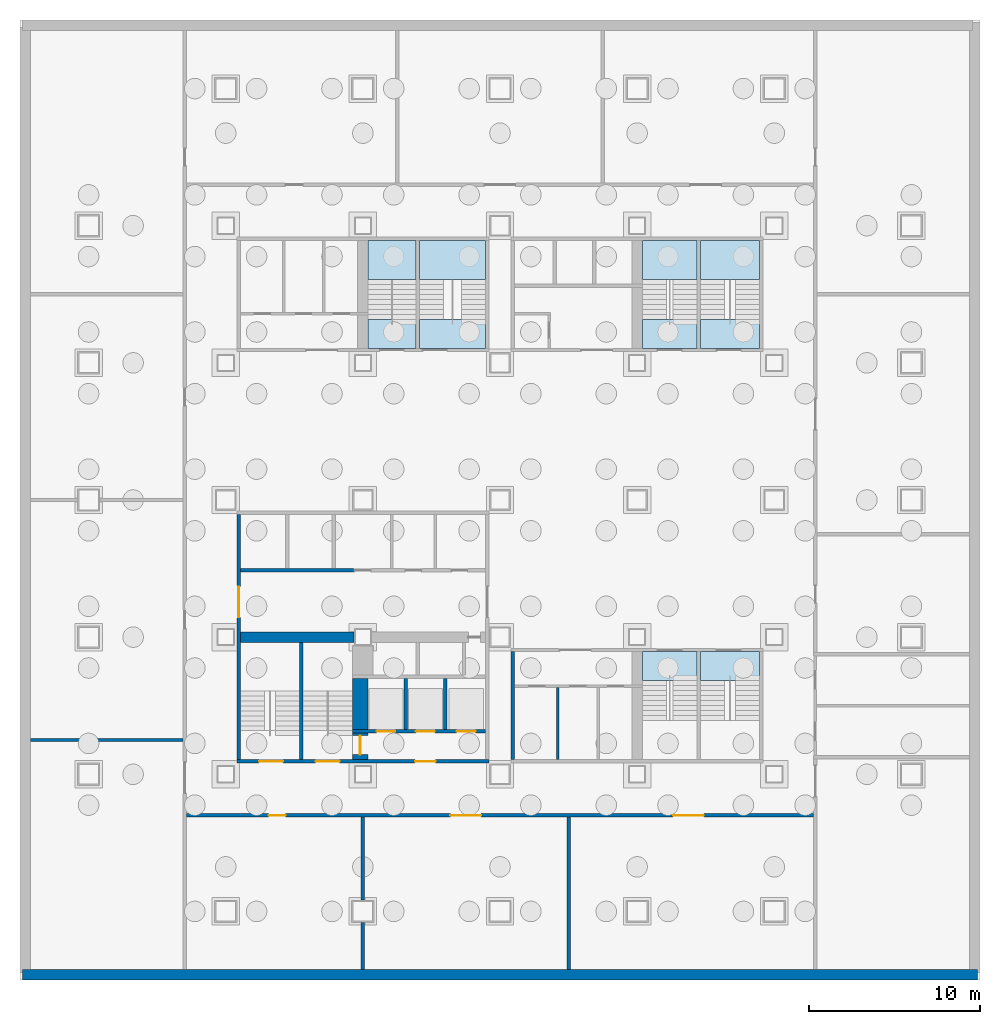
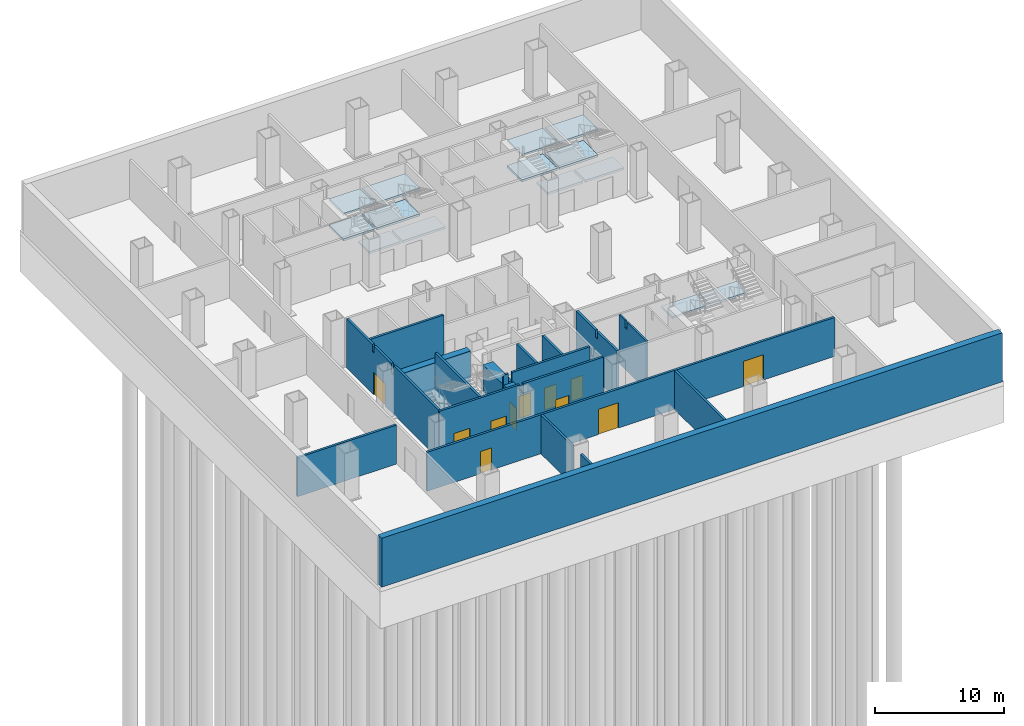
# One storey, part 2 of 9: 18 walls, 14 slabs, 11 doors, 11 openings, 6 elements without a shape of their own.
"""IFC4 building model written with IfcOpenShell, lengths in metres."""

from ifc_helpers import new_model, si_unit, direction, frame, frame_2d, origin, place, context, subcontext, project, spatial, polyline, rectangle, outline, extrude, material, layer, layer_set, type_object, element, fill, aggregate, save


model = new_model("IFC4")

# Units and contexts
model_context = context("Model", 3, precision=1e-05, world=origin(), true_north=direction((0.0, 1.0)))
body_context = subcontext(model_context, "Body", "Model", "MODEL_VIEW")
ifc_project = project(units=[si_unit("LENGTHUNIT", "METRE"), si_unit("AREAUNIT", "SQUARE_METRE"), si_unit("VOLUMEUNIT", "CUBIC_METRE"), si_unit("PLANEANGLEUNIT", "RADIAN"), si_unit("MASSUNIT", "GRAM", prefix="KILO")], contexts=[model_context])

# Site, building, storey
site_placement = place(None, origin())
site = spatial("IfcSite", under=ifc_project, at=site_placement, CompositionType="ELEMENT")
building_placement = place(site_placement, origin())
building = spatial("IfcBuilding", under=site, at=building_placement, Name="Immortelle Media Tower", CompositionType="ELEMENT")
storey_placement = place(building_placement, frame((0.0, 0.0, -5.0)))
storey = spatial("IfcBuildingStorey", under=building, at=storey_placement, Name="B1", CompositionType="ELEMENT", Elevation=-5.0)

# Stair, slab
ifc_material_1 = material(Name="Steel ASTM A992 Gr 50", Category="steel")
stair_type = type_object("IfcStairType", Name="Stair with flights", PredefinedType="DOUBLE_RETURN_STAIR", material=ifc_material_1)
stair_1_placement = place(storey_placement, origin())
stair_1 = element("IfcStair", 1, at=stair_1_placement, inside=storey, type_object=stair_type, Name="Exit stair SE1", PredefinedType="DOUBLE_RETURN_STAIR")
ifc_material_2 = material(Name="Steel ASTM A572 Gr 50", Category="steel")
ifc_layer_1 = layer(ifc_material_2, 0.199951171875)
ifc_layer_set_1 = layer_set([ifc_layer_1], Name="Steel ASTM A572 Gr 50")
slab_type = type_object("IfcSlabType", Name="Stair landing 200", PredefinedType="LANDING", material=ifc_layer_set_1)
slab_1_placement = place(storey_placement, frame((0.0, 0.0, 2.232421875)))
slab_1 = element("IfcSlab", 2, at=slab_1_placement, type_object=slab_type, Name="ST SE1 landing 2", PredefinedType="LANDING", context=body_context, shape_type="SweptSolid", body=[
    extrude(outline(polyline([(32.300048828125, 13.4599609375), (35.5, 13.4599609375), (35.5, 15.14990234375), (32.300048828125, 15.14990234375), (32.300048828125, 13.4599609375)])), origin(), (0.0, 0.0, 1.0), 0.199951171875),
])
aggregate(stair_1, [slab_1])

stair_2_placement = place(storey_placement, origin())
stair_2 = element("IfcStair", 3, at=stair_2_placement, inside=storey, type_object=stair_type, Name="Exit stair SE2", PredefinedType="DOUBLE_RETURN_STAIR")
slab_2_placement = place(storey_placement, frame((0.0, 0.0, 2.232421875)))
slab_2 = element("IfcSlab", 4, at=slab_2_placement, type_object=slab_type, Name="ST SE2 landing 2", PredefinedType="LANDING", context=body_context, shape_type="SweptSolid", body=[
    extrude(outline(polyline([(35.699951171875, 13.4599609375), (39.14990234375, 13.4599609375), (39.14990234375, 15.14990234375), (35.699951171875, 15.14990234375), (35.699951171875, 13.4599609375)])), origin(), (0.0, 0.0, 1.0), 0.199951171875),
])
aggregate(stair_2, [slab_2])

# Stair, slabs
stair_3_placement = place(storey_placement, origin())
stair_3 = element("IfcStair", 5, at=stair_3_placement, inside=storey, type_object=stair_type, Name="Exit stair NW1", PredefinedType="DOUBLE_RETURN_STAIR")
slab_3_placement = place(storey_placement, frame((0.0, 0.0, 1.01611328125)))
slab_3 = element("IfcSlab", 6, at=slab_3_placement, type_object=slab_type, Name="ST NW1 landing 1", PredefinedType="LANDING", context=body_context, shape_type="SweptSolid", body=[
    extrude(outline(polyline([(16.300048828125, 36.860107421875), (19.10009765625, 36.860107421875), (19.10009765625, 39.14990234375), (16.300048828125, 39.14990234375), (16.300048828125, 36.860107421875)])), origin(), (0.0, 0.0, 1.0), 0.2001953125),
])
slab_4_placement = place(storey_placement, frame((0.0, 0.0, 2.232421875)))
slab_4 = element("IfcSlab", 7, at=slab_4_placement, type_object=slab_type, Name="ST NW1 landing 2", PredefinedType="LANDING", context=body_context, shape_type="SweptSolid", body=[
    extrude(outline(polyline([(16.300048828125, 32.85009765625), (19.10009765625, 32.85009765625), (19.10009765625, 34.5400390625), (16.300048828125, 34.5400390625), (16.300048828125, 32.85009765625)])), origin(), (0.0, 0.0, 1.0), 0.199951171875),
])
slab_5_placement = place(storey_placement, frame((0.0, 0.0, 3.44873046875)))
slab_5 = element("IfcSlab", 8, at=slab_5_placement, type_object=slab_type, Name="ST NW1 landing 3", PredefinedType="LANDING", context=body_context, shape_type="SweptSolid", body=[
    extrude(outline(polyline([(16.300048828125, 36.860107421875), (19.10009765625, 36.860107421875), (19.10009765625, 39.14990234375), (16.300048828125, 39.14990234375), (16.300048828125, 36.860107421875)])), origin(), (0.0, 0.0, 1.0), 0.199951171875),
])
aggregate(stair_3, [slab_3, slab_4, slab_5])

stair_4_placement = place(storey_placement, origin())
stair_4 = element("IfcStair", 9, at=stair_4_placement, inside=storey, type_object=stair_type, Name="Exit stair NW2", PredefinedType="DOUBLE_RETURN_STAIR")
slab_6_placement = place(storey_placement, frame((0.0, 0.0, 1.01611328125)))
slab_6 = element("IfcSlab", 10, at=slab_6_placement, type_object=slab_type, Name="ST NW2 landing 1", PredefinedType="LANDING", context=body_context, shape_type="SweptSolid", body=[
    extrude(outline(polyline([(19.300048828125, 36.860107421875), (23.14990234375, 36.860107421875), (23.14990234375, 39.14990234375), (19.300048828125, 39.14990234375), (19.300048828125, 36.860107421875)])), origin(), (0.0, 0.0, 1.0), 0.2001953125),
])
slab_7_placement = place(storey_placement, frame((0.0, 0.0, 2.232421875)))
slab_7 = element("IfcSlab", 11, at=slab_7_placement, type_object=slab_type, Name="ST NW2 landing 2", PredefinedType="LANDING", context=body_context, shape_type="SweptSolid", body=[
    extrude(outline(polyline([(19.300048828125, 32.85009765625), (23.14990234375, 32.85009765625), (23.14990234375, 34.5400390625), (19.300048828125, 34.5400390625), (19.300048828125, 32.85009765625)])), origin(), (0.0, 0.0, 1.0), 0.199951171875),
])
slab_8_placement = place(storey_placement, frame((0.0, 0.0, 3.44873046875)))
slab_8 = element("IfcSlab", 12, at=slab_8_placement, type_object=slab_type, Name="ST NW2 landing 3", PredefinedType="LANDING", context=body_context, shape_type="SweptSolid", body=[
    extrude(outline(polyline([(19.300048828125, 36.860107421875), (23.14990234375, 36.860107421875), (23.14990234375, 39.14990234375), (19.300048828125, 39.14990234375), (19.300048828125, 36.860107421875)])), origin(), (0.0, 0.0, 1.0), 0.199951171875),
])
aggregate(stair_4, [slab_6, slab_7, slab_8])

stair_5_placement = place(storey_placement, origin())
stair_5 = element("IfcStair", 13, at=stair_5_placement, inside=storey, type_object=stair_type, Name="Exit stair NE1", PredefinedType="DOUBLE_RETURN_STAIR")
slab_9_placement = place(storey_placement, frame((0.0, 0.0, 1.01611328125)))
slab_9 = element("IfcSlab", 14, at=slab_9_placement, type_object=slab_type, Name="ST NE1 landing 1", PredefinedType="LANDING", context=body_context, shape_type="SweptSolid", body=[
    extrude(outline(polyline([(32.300048828125, 36.860107421875), (35.5, 36.860107421875), (35.5, 39.14990234375), (32.300048828125, 39.14990234375), (32.300048828125, 36.860107421875)])), origin(), (0.0, 0.0, 1.0), 0.2001953125),
])
slab_10_placement = place(storey_placement, frame((0.0, 0.0, 2.232421875)))
slab_10 = element("IfcSlab", 15, at=slab_10_placement, type_object=slab_type, Name="ST NE1 landing 2", PredefinedType="LANDING", context=body_context, shape_type="SweptSolid", body=[
    extrude(outline(polyline([(32.300048828125, 32.85009765625), (35.5, 32.85009765625), (35.5, 34.5400390625), (32.300048828125, 34.5400390625), (32.300048828125, 32.85009765625)])), origin(), (0.0, 0.0, 1.0), 0.199951171875),
])
slab_11_placement = place(storey_placement, frame((0.0, 0.0, 3.44873046875)))
slab_11 = element("IfcSlab", 16, at=slab_11_placement, type_object=slab_type, Name="ST NE1 landing 3", PredefinedType="LANDING", context=body_context, shape_type="SweptSolid", body=[
    extrude(outline(polyline([(32.300048828125, 36.860107421875), (35.5, 36.860107421875), (35.5, 39.14990234375), (32.300048828125, 39.14990234375), (32.300048828125, 36.860107421875)])), origin(), (0.0, 0.0, 1.0), 0.199951171875),
])
aggregate(stair_5, [slab_9, slab_10, slab_11])

stair_6_placement = place(storey_placement, origin())
stair_6 = element("IfcStair", 17, at=stair_6_placement, inside=storey, type_object=stair_type, Name="Exit stair NE2", PredefinedType="DOUBLE_RETURN_STAIR")
slab_12_placement = place(storey_placement, frame((0.0, 0.0, 1.01611328125)))
slab_12 = element("IfcSlab", 18, at=slab_12_placement, type_object=slab_type, Name="ST NE2 landing 1", PredefinedType="LANDING", context=body_context, shape_type="SweptSolid", body=[
    extrude(outline(polyline([(35.699951171875, 36.860107421875), (39.14990234375, 36.860107421875), (39.14990234375, 39.14990234375), (35.699951171875, 39.14990234375), (35.699951171875, 36.860107421875)])), origin(), (0.0, 0.0, 1.0), 0.2001953125),
])
slab_13_placement = place(storey_placement, frame((0.0, 0.0, 2.232421875)))
slab_13 = element("IfcSlab", 19, at=slab_13_placement, type_object=slab_type, Name="ST NE2 landing 2", PredefinedType="LANDING", context=body_context, shape_type="SweptSolid", body=[
    extrude(outline(polyline([(35.699951171875, 32.85009765625), (39.14990234375, 32.85009765625), (39.14990234375, 34.5400390625), (35.699951171875, 34.5400390625), (35.699951171875, 32.85009765625)])), origin(), (0.0, 0.0, 1.0), 0.199951171875),
])
slab_14_placement = place(storey_placement, frame((0.0, 0.0, 3.44873046875)))
slab_14 = element("IfcSlab", 20, at=slab_14_placement, type_object=slab_type, Name="ST NE2 landing 3", PredefinedType="LANDING", context=body_context, shape_type="SweptSolid", body=[
    extrude(outline(polyline([(35.699951171875, 36.860107421875), (39.14990234375, 36.860107421875), (39.14990234375, 39.14990234375), (35.699951171875, 39.14990234375), (35.699951171875, 36.860107421875)])), origin(), (0.0, 0.0, 1.0), 0.199951171875),
])
aggregate(stair_6, [slab_12, slab_13, slab_14])

# Walls
ifc_material_3 = material(Name="Fire-rated gypsum board", Category="gypsum")
ifc_layer_2 = layer(ifc_material_3, 0.02490234375)
ifc_material_4 = material(Name="Steel ASTM A653 SS Gr 50 stud frame with mineral wool", Category="steel")
ifc_layer_3 = layer(ifc_material_4, 0.10009765625)
ifc_layer_4 = layer(ifc_material_3, 0.02490234375)
ifc_layer_set_2 = layer_set([ifc_layer_2, ifc_layer_3, ifc_layer_4], Name="Steel ASTM A653 SS Gr 50 stud frame with mineral wool")
wall_type_1 = type_object("IfcWallType", Name="Core partition 150", PredefinedType="PARTITIONING", material=ifc_layer_set_2)
wall_1_placement = place(storey_placement, frame((27.375, 8.85009765625, 0.0), z_axis=(0.0, 0.0, 1.0), x_axis=(0.0, 1.0, 0.0)))
element("IfcWall", 21, at=wall_1_placement, inside=storey, type_object=wall_type_1, Name="Core partition SE", PredefinedType="PARTITIONING", context=body_context, shape_type="SweptSolid", body=[
    extrude(outline(polyline([(0.0, 0.0), (4.199951171875, 0.0), (4.199951171875, 4.64990234375), (3.283447265625, 4.64990234375), (3.282470703125, 3.950927734375), (3.017578125, 3.950927734375), (3.0166015625, 4.64990234375), (0.0, 4.64990234375), (0.0, 0.0)])), frame((0.0, 0.074951171875, 0.0), z_axis=(0.0, -1.0, 0.0), x_axis=(1.0, 0.0, 0.0)), (0.0, 0.0, 1.0), 0.14990234375),
])
ifc_layer_5 = layer(ifc_material_3, 0.03759765625)
ifc_layer_6 = layer(ifc_material_4, 0.125)
ifc_layer_7 = layer(ifc_material_3, 0.03759765625)
ifc_layer_set_3 = layer_set([ifc_layer_5, ifc_layer_6, ifc_layer_7], Name="Steel ASTM A653 SS Gr 50 stud frame with mineral wool")
wall_type_2 = type_object("IfcWallType", Name="Core shaft wall 200", PredefinedType="PARTITIONING", material=ifc_layer_set_3)
wall_2_placement = place(storey_placement, frame((8.85009765625, 19.89990234375, 0.0), z_axis=(0.0, 0.0, 1.0), x_axis=(1.0, 0.0, 0.0)))
element("IfcWall", 22, at=wall_2_placement, inside=storey, type_object=wall_type_2, Name="Core shaft wall SW", PredefinedType="PARTITIONING", context=body_context, shape_type="SweptSolid", body=[
    extrude(rectangle(XDim=6.599853515625, YDim=0.199951171875, at=frame_2d((3.2998046875, 0.0))), origin(), (0.0, 0.0, 1.0), 4.64990234375),
])

# Wall, openings, doors
wall_3_placement = place(storey_placement, frame((15.39990234375, 10.5, 0.0), z_axis=(0.0, 0.0, 1.0), x_axis=(1.0, 0.0, 0.0)))
wall_3 = element("IfcWall", 23, at=wall_3_placement, inside=storey, type_object=wall_type_2, Name="Core shaft wall SW", PredefinedType="PARTITIONING", context=body_context, shape_type="SweptSolid", body=[
    extrude(outline(polyline([(0.0, 0.0), (7.75, 0.0), (7.75, 4.64990234375), (0.758544921875, 4.64990234375), (0.757568359375, 3.717041015625), (0.4423828125, 3.717041015625), (0.44140625, 4.64990234375), (0.0, 4.64990234375), (0.0, 0.0)])), frame((0.0, 0.10009765625, 0.0), z_axis=(0.0, -1.0, 0.0), x_axis=(1.0, 0.0, 0.0)), (0.0, 0.0, 1.0), 0.199951171875),
])
opening_1_placement = place(wall_3_placement, frame((1.39990234375, 0.0, 0.0)))
opening_1 = element("IfcOpeningElement", 24, at=opening_1_placement, cuts=wall_3, Name="Opening LD", PredefinedType="OPENING", context=body_context, shape_type="SweptSolid", body=[
    extrude(rectangle(XDim=1.10009765625, YDim=2.10009765625, at=frame_2d((0.550048828125, 1.050048828125))), frame((0.0, 0.10986328125, 0.0), z_axis=(0.0, -1.0, 0.0), x_axis=(1.0, 0.0, 0.0)), (0.0, 0.0, 1.0), 0.219970703125),
])
opening_2_placement = place(wall_3_placement, frame((3.699951171875, 0.0, 0.0)))
opening_2 = element("IfcOpeningElement", 25, at=opening_2_placement, cuts=wall_3, Name="Opening LD", PredefinedType="OPENING", context=body_context, shape_type="SweptSolid", body=[
    extrude(rectangle(XDim=1.10009765625, YDim=2.10009765625, at=frame_2d((0.550048828125, 1.050048828125))), frame((0.0, 0.10986328125, 0.0), z_axis=(0.0, -1.0, 0.0), x_axis=(1.0, 0.0, 0.0)), (0.0, 0.0, 1.0), 0.219970703125),
])
opening_3_placement = place(wall_3_placement, frame((6.074951171875, 0.0, 0.0)))
opening_3 = element("IfcOpeningElement", 26, at=opening_3_placement, cuts=wall_3, Name="Opening LD", PredefinedType="OPENING", context=body_context, shape_type="SweptSolid", body=[
    extrude(rectangle(XDim=1.10009765625, YDim=2.10009765625, at=frame_2d((0.550048828125, 1.050048828125))), frame((0.0, 0.10986328125, 0.0), z_axis=(0.0, -1.0, 0.0), x_axis=(1.0, 0.0, 0.0)), (0.0, 0.0, 1.0), 0.219970703125),
])
ifc_material_5 = material(Name="Stainless steel AISI 304", Category="steel")
door_type_1 = type_object("IfcDoorType", Name="Landing door 1100 x 2100", OperationType="SLIDING_TO_LEFT", PredefinedType="NOTDEFINED", material=ifc_material_5)
door_1_placement = place(opening_1_placement, origin())
door_1 = element("IfcDoor", 27, at=door_1_placement, inside=storey, type_object=door_type_1, Name="Landing door FF1 B1", OperationType="SLIDING_TO_LEFT", OverallHeight=2.10009765625, OverallWidth=1.10009765625, PredefinedType="NOTDEFINED", context=body_context, shape_type="SweptSolid", body=[
    extrude(rectangle(XDim=1.10009765625, YDim=2.10009765625, at=frame_2d((0.550048828125, 1.050048828125))), frame((0.0, 0.02490234375, 0.0), z_axis=(0.0, -1.0, 0.0), x_axis=(1.0, 0.0, 0.0)), (0.0, 0.0, 1.0), 0.050048828125),
])
fill(opening_1, door_1)
door_2_placement = place(opening_2_placement, origin())
door_2 = element("IfcDoor", 28, at=door_2_placement, inside=storey, type_object=door_type_1, Name="Landing door FF2 B1", OperationType="SLIDING_TO_LEFT", OverallHeight=2.10009765625, OverallWidth=1.10009765625, PredefinedType="NOTDEFINED", context=body_context, shape_type="SweptSolid", body=[
    extrude(rectangle(XDim=1.10009765625, YDim=2.10009765625, at=frame_2d((0.550048828125, 1.050048828125))), frame((0.0, 0.02490234375, 0.0), z_axis=(0.0, -1.0, 0.0), x_axis=(1.0, 0.0, 0.0)), (0.0, 0.0, 1.0), 0.050048828125),
])
fill(opening_2, door_2)
door_3_placement = place(opening_3_placement, origin())
door_3 = element("IfcDoor", 29, at=door_3_placement, inside=storey, type_object=door_type_1, Name="Landing door FF3 B1", OperationType="SLIDING_TO_LEFT", OverallHeight=2.10009765625, OverallWidth=1.10009765625, PredefinedType="NOTDEFINED", context=body_context, shape_type="SweptSolid", body=[
    extrude(rectangle(XDim=1.10009765625, YDim=2.10009765625, at=frame_2d((0.550048828125, 1.050048828125))), frame((0.0, 0.02490234375, 0.0), z_axis=(0.0, -1.0, 0.0), x_axis=(1.0, 0.0, 0.0)), (0.0, 0.0, 1.0), 0.050048828125),
])
fill(opening_3, door_3)

# Walls
for number, where, z_axis, x_axis, name in (
    (30, (18.5, 10.60009765625, 0.0), (0.0, 0.0, 1.0), (0.0, 1.0, 0.0), "Core shaft wall SW"),
    (31, (20.800048828125, 10.60009765625, 0.0), (0.0, 0.0, 1.0), (0.0, 1.0, 0.0), "Core shaft wall SW"),
):
    element("IfcWall", number, at=place(storey_placement, frame(where, z_axis=z_axis, x_axis=x_axis)), inside=storey, type_object=wall_type_2, Name=name, PredefinedType="PARTITIONING", context=body_context, shape_type="SweptSolid", body=[
        extrude(rectangle(XDim=3.0, YDim=0.199951171875, at=frame_2d((1.5, 0.0))), origin(), (0.0, 0.0, 1.0), 4.64990234375),
    ])
wall_4_placement = place(storey_placement, frame((24.75, 8.85009765625, 0.0), z_axis=(0.0, 0.0, 1.0), x_axis=(0.0, 1.0, 0.0)))
element("IfcWall", 32, at=wall_4_placement, inside=storey, type_object=wall_type_2, Name="Core shaft wall SE", PredefinedType="PARTITIONING", context=body_context, shape_type="SweptSolid", body=[
    extrude(outline(polyline([(0.0, 0.0), (6.2998046875, 0.0), (6.300048828125, 4.64990234375), (3.283447265625, 4.64990234375), (3.282470703125, 3.950927734375), (3.017578125, 3.950927734375), (3.0166015625, 4.64990234375), (0.0, 4.64990234375), (0.0, 0.0)])), frame((0.0, 0.10009765625, 0.0), z_axis=(0.0, -1.0, 0.0), x_axis=(1.0, 0.0, 0.0)), (0.0, 0.0, 1.0), 0.199951171875),
])
ifc_layer_8 = layer(ifc_material_3, 0.03759765625)
ifc_layer_9 = layer(ifc_material_4, 0.125)
ifc_layer_10 = layer(ifc_material_3, 0.03759765625)
ifc_layer_set_4 = layer_set([ifc_layer_8, ifc_layer_9, ifc_layer_10], Name="Steel ASTM A653 SS Gr 50 stud frame with mineral wool")
wall_type_3 = type_object("IfcWallType", Name="Fire-resisting wall 200", PredefinedType="PARTITIONING", material=ifc_layer_set_4)
wall_5_placement = place(storey_placement, frame((-3.39990234375, 10.0, 0.0), z_axis=(0.0, 0.0, 1.0), x_axis=(1.0, 0.0, 0.0)))
element("IfcWall", 33, at=wall_5_placement, inside=storey, type_object=wall_type_3, Name="Fire-resisting wall B1-4", PredefinedType="PARTITIONING", context=body_context, shape_type="SweptSolid", body=[
    extrude(rectangle(XDim=8.89990234375, YDim=0.199951171875, at=frame_2d((4.449951171875, 0.0))), origin(), (0.0, 0.0, 1.0), 3.699951171875),
])

# Wall, openings, doors
wall_6_placement = place(storey_placement, frame((5.699951171875, 5.60009765625, 0.0), z_axis=(0.0, 0.0, 1.0), x_axis=(1.0, 0.0, 0.0)))
wall_6 = element("IfcWall", 34, at=wall_6_placement, inside=storey, type_object=wall_type_3, Name="Fire-resisting wall B1-8", PredefinedType="PARTITIONING", context=body_context, shape_type="SweptSolid", body=[
    extrude(rectangle(XDim=36.60009765625, YDim=0.199951171875, at=frame_2d((18.300048828125, 0.0))), origin(), (0.0, 0.0, 1.0), 3.699951171875),
])
opening_4_placement = place(wall_6_placement, frame((4.800048828125, 0.0, 0.0)))
opening_4 = element("IfcOpeningElement", 35, at=opening_4_placement, cuts=wall_6, Name="Opening B1-X05", PredefinedType="OPENING", context=body_context, shape_type="SweptSolid", body=[
    extrude(rectangle(XDim=1.0, YDim=2.10009765625, at=frame_2d((0.5, 1.050048828125))), frame((0.0, 0.10986328125, 0.0), z_axis=(0.0, -1.0, 0.0), x_axis=(1.0, 0.0, 0.0)), (0.0, 0.0, 1.0), 0.219970703125),
])
opening_5_placement = place(wall_6_placement, frame((15.39990234375, 0.0, 0.0)))
opening_5 = element("IfcOpeningElement", 36, at=opening_5_placement, cuts=wall_6, Name="Opening B1-X06", PredefinedType="OPENING", context=body_context, shape_type="SweptSolid", body=[
    extrude(rectangle(XDim=1.800048828125, YDim=2.39990234375, at=frame_2d((0.89990234375, 1.199951171875))), frame((0.0, 0.10986328125, 0.0), z_axis=(0.0, -1.0, 0.0), x_axis=(1.0, 0.0, 0.0)), (0.0, 0.0, 1.0), 0.219970703125),
])
opening_6_placement = place(wall_6_placement, frame((28.39990234375, 0.0, 0.0)))
opening_6 = element("IfcOpeningElement", 37, at=opening_6_placement, cuts=wall_6, Name="Opening B1-X07", PredefinedType="OPENING", context=body_context, shape_type="SweptSolid", body=[
    extrude(rectangle(XDim=1.800048828125, YDim=2.39990234375, at=frame_2d((0.89990234375, 1.199951171875))), frame((0.0, 0.10986328125, 0.0), z_axis=(0.0, -1.0, 0.0), x_axis=(1.0, 0.0, 0.0)), (0.0, 0.0, 1.0), 0.219970703125),
])
ifc_material_6 = material(Name="Galvanised steel door leaf and frame ASTM A653", Category="steel")
door_type_2 = type_object("IfcDoorType", Name="Fire door 1000 x 2100", OperationType="NOTDEFINED", PredefinedType="DOOR", material=ifc_material_6)
door_4_placement = place(opening_4_placement, origin())
door_4 = element("IfcDoor", 38, at=door_4_placement, inside=storey, type_object=door_type_2, Name="Door B1-X05", OperationType="SINGLE_SWING_LEFT", OverallHeight=2.10009765625, OverallWidth=1.0, PredefinedType="DOOR", context=body_context, shape_type="SweptSolid", body=[
    extrude(rectangle(XDim=1.0, YDim=2.10009765625, at=frame_2d((0.5, 1.050048828125))), frame((0.0, 0.02490234375, 0.0), z_axis=(0.0, -1.0, 0.0), x_axis=(1.0, 0.0, 0.0)), (0.0, 0.0, 1.0), 0.050048828125),
])
fill(opening_4, door_4)
door_type_3 = type_object("IfcDoorType", Name="Fire double door 1800 x 2400", OperationType="DOUBLE_DOOR_SINGLE_SWING", PredefinedType="DOOR", material=ifc_material_6)
door_5_placement = place(opening_5_placement, origin())
door_5 = element("IfcDoor", 39, at=door_5_placement, inside=storey, type_object=door_type_3, Name="Door B1-X06", OperationType="DOUBLE_DOOR_SINGLE_SWING", OverallHeight=2.39990234375, OverallWidth=1.800048828125, PredefinedType="DOOR", context=body_context, shape_type="SweptSolid", body=[
    extrude(rectangle(XDim=1.800048828125, YDim=2.39990234375, at=frame_2d((0.89990234375, 1.199951171875))), frame((0.0, 0.02490234375, 0.0), z_axis=(0.0, -1.0, 0.0), x_axis=(1.0, 0.0, 0.0)), (0.0, 0.0, 1.0), 0.050048828125),
])
fill(opening_5, door_5)
door_6_placement = place(opening_6_placement, origin())
door_6 = element("IfcDoor", 40, at=door_6_placement, inside=storey, type_object=door_type_3, Name="Door B1-X07", OperationType="DOUBLE_DOOR_SINGLE_SWING", OverallHeight=2.39990234375, OverallWidth=1.800048828125, PredefinedType="DOOR", context=body_context, shape_type="SweptSolid", body=[
    extrude(rectangle(XDim=1.800048828125, YDim=2.39990234375, at=frame_2d((0.89990234375, 1.199951171875))), frame((0.0, 0.02490234375, 0.0), z_axis=(0.0, -1.0, 0.0), x_axis=(1.0, 0.0, 0.0)), (0.0, 0.0, 1.0), 0.050048828125),
])
fill(opening_6, door_6)

# Walls
wall_7_placement = place(storey_placement, frame((16.0, -3.39990234375, 0.0), z_axis=(0.0, 0.0, 1.0), x_axis=(0.0, 1.0, 0.0)))
element("IfcWall", 41, at=wall_7_placement, inside=storey, type_object=wall_type_3, Name="Fire-resisting wall B1-10A", PredefinedType="PARTITIONING", context=body_context, shape_type="SweptSolid", body=[
    extrude(rectangle(XDim=2.744873046875, YDim=0.199951171875, at=frame_2d((1.37255859375, 0.0))), origin(), (0.0, 0.0, 1.0), 3.699951171875),
])
wall_8_placement = place(storey_placement, frame((16.0, 0.655029296875, 0.0), z_axis=(0.0, 0.0, 1.0), x_axis=(0.0, 1.0, 0.0)))
element("IfcWall", 42, at=wall_8_placement, inside=storey, type_object=wall_type_3, Name="Fire-resisting wall B1-10B", PredefinedType="PARTITIONING", context=body_context, shape_type="SweptSolid", body=[
    extrude(rectangle(XDim=4.844970703125, YDim=0.199951171875, at=frame_2d((2.42236328125, 0.0))), origin(), (0.0, 0.0, 1.0), 3.699951171875),
])
wall_9_placement = place(storey_placement, frame((28.0, -3.39990234375, 0.0), z_axis=(0.0, 0.0, 1.0), x_axis=(0.0, 1.0, 0.0)))
element("IfcWall", 43, at=wall_9_placement, inside=storey, type_object=wall_type_3, Name="Fire-resisting wall B1-12", PredefinedType="PARTITIONING", context=body_context, shape_type="SweptSolid", body=[
    extrude(rectangle(XDim=8.89990234375, YDim=0.199951171875, at=frame_2d((4.449951171875, 0.0))), origin(), (0.0, 0.0, 1.0), 3.699951171875),
])
ifc_material_7 = material(Name="Concrete C60", Category="concrete")
ifc_layer_11 = layer(ifc_material_7, 0.60009765625)
ifc_layer_set_5 = layer_set([ifc_layer_11], Name="Concrete C60")
wall_type_4 = type_object("IfcWallType", Name="Retaining wall 600", PredefinedType="SOLIDWALL", material=ifc_layer_set_5)
wall_10_placement = place(storey_placement, frame((-3.85009765625, -3.699951171875, 0.0), z_axis=(0.0, 0.0, 1.0), x_axis=(1.0, 0.0, 0.0)))
element("IfcWall", 44, at=wall_10_placement, inside=storey, type_object=wall_type_4, Name="Retaining wall 1", PredefinedType="SOLIDWALL", context=body_context, shape_type="SweptSolid", body=[
    extrude(rectangle(XDim=55.7001953125, YDim=0.60009765625, at=frame_2d((27.85009765625, 0.0))), origin(), (0.0, 0.0, 1.0), 4.64990234375),
])

# Wall, openings, doors
ifc_layer_12 = layer(ifc_material_7, 0.199951171875)
ifc_layer_set_6 = layer_set([ifc_layer_12], Name="Concrete C60")
wall_type_5 = type_object("IfcWallType", Name="Stair shaft wall 200", PredefinedType="PARTITIONING", material=ifc_layer_set_6)
wall_11_placement = place(storey_placement, frame((8.64990234375, 8.75, 0.0), z_axis=(0.0, 0.0, 1.0), x_axis=(1.0, 0.0, 0.0)))
wall_11 = element("IfcWall", 45, at=wall_11_placement, inside=storey, type_object=wall_type_5, Name="Stair shaft wall SW", PredefinedType="PARTITIONING", context=body_context, shape_type="SweptSolid", body=[
    extrude(outline(polyline([(0.0, 0.0), (14.7001953125, 0.0), (14.699951171875, 4.64990234375), (7.508544921875, 4.64990234375), (7.507568359375, 3.717041015625), (7.1923828125, 3.717041015625), (7.19140625, 4.64990234375), (0.0, 4.64990234375), (0.0, 0.0)])), frame((0.0, 0.10009765625, 0.0), z_axis=(0.0, -1.0, 0.0), x_axis=(1.0, 0.0, 0.0)), (0.0, 0.0, 1.0), 0.199951171875),
])
opening_7_placement = place(wall_11_placement, frame((1.300048828125, 0.0, 0.0)))
opening_7 = element("IfcOpeningElement", 46, at=opening_7_placement, cuts=wall_11, Name="Opening B1-K002", PredefinedType="OPENING", context=body_context, shape_type="SweptSolid", body=[
    extrude(rectangle(XDim=1.39990234375, YDim=2.10009765625, at=frame_2d((0.699951171875, 1.050048828125))), frame((0.0, 0.10986328125, 0.0), z_axis=(0.0, -1.0, 0.0), x_axis=(1.0, 0.0, 0.0)), (0.0, 0.0, 1.0), 0.219970703125),
])
opening_8_placement = place(wall_11_placement, frame((4.60009765625, 0.0, 0.0)))
opening_8 = element("IfcOpeningElement", 47, at=opening_8_placement, cuts=wall_11, Name="Opening B1-K003", PredefinedType="OPENING", context=body_context, shape_type="SweptSolid", body=[
    extrude(rectangle(XDim=1.39990234375, YDim=2.10009765625, at=frame_2d((0.699951171875, 1.050048828125))), frame((0.0, 0.10986328125, 0.0), z_axis=(0.0, -1.0, 0.0), x_axis=(1.0, 0.0, 0.0)), (0.0, 0.0, 1.0), 0.219970703125),
])
opening_9_placement = place(wall_11_placement, frame((10.39990234375, 0.0, 0.0)))
opening_9 = element("IfcOpeningElement", 48, at=opening_9_placement, cuts=wall_11, Name="Opening B1-K008", PredefinedType="OPENING", context=body_context, shape_type="SweptSolid", body=[
    extrude(rectangle(XDim=1.199951171875, YDim=2.10009765625, at=frame_2d((0.60009765625, 1.050048828125))), frame((0.0, 0.10986328125, 0.0), z_axis=(0.0, -1.0, 0.0), x_axis=(1.0, 0.0, 0.0)), (0.0, 0.0, 1.0), 0.219970703125),
])
door_type_4 = type_object("IfcDoorType", Name="Fire-fighting lobby door 1200 x 2100", OperationType="NOTDEFINED", PredefinedType="NOTDEFINED", material=ifc_material_6)
door_7_placement = place(opening_9_placement, origin())
door_7 = element("IfcDoor", 49, at=door_7_placement, inside=storey, type_object=door_type_4, Name="Fire-fighting lobby B1-K008", OperationType="SINGLE_SWING_RIGHT", OverallHeight=2.10009765625, OverallWidth=1.199951171875, PredefinedType="NOTDEFINED", context=body_context, shape_type="SweptSolid", body=[
    extrude(rectangle(XDim=1.199951171875, YDim=2.10009765625, at=frame_2d((0.60009765625, 1.050048828125))), frame((0.0, 0.02490234375, 0.0), z_axis=(0.0, -1.0, 0.0), x_axis=(1.0, 0.0, 0.0)), (0.0, 0.0, 1.0), 0.050048828125),
])
fill(opening_9, door_7)
door_type_5 = type_object("IfcDoorType", Name="Stair door 1400 x 2100", OperationType="DOUBLE_DOOR_SINGLE_SWING", PredefinedType="NOTDEFINED", material=ifc_material_6)
door_8_placement = place(opening_7_placement, origin())
door_8 = element("IfcDoor", 50, at=door_8_placement, inside=storey, type_object=door_type_5, Name="Stair B1-K002", OperationType="DOUBLE_DOOR_SINGLE_SWING", OverallHeight=2.10009765625, OverallWidth=1.39990234375, PredefinedType="NOTDEFINED", context=body_context, shape_type="SweptSolid", body=[
    extrude(rectangle(XDim=1.39990234375, YDim=2.10009765625, at=frame_2d((0.699951171875, 1.050048828125))), frame((0.0, 0.02490234375, 0.0), z_axis=(0.0, -1.0, 0.0), x_axis=(1.0, 0.0, 0.0)), (0.0, 0.0, 1.0), 0.050048828125),
])
fill(opening_7, door_8)
door_9_placement = place(opening_8_placement, origin())
door_9 = element("IfcDoor", 51, at=door_9_placement, inside=storey, type_object=door_type_5, Name="Stair B1-K003", OperationType="DOUBLE_DOOR_SINGLE_SWING", OverallHeight=2.10009765625, OverallWidth=1.39990234375, PredefinedType="NOTDEFINED", context=body_context, shape_type="SweptSolid", body=[
    extrude(rectangle(XDim=1.39990234375, YDim=2.10009765625, at=frame_2d((0.699951171875, 1.050048828125))), frame((0.0, 0.02490234375, 0.0), z_axis=(0.0, -1.0, 0.0), x_axis=(1.0, 0.0, 0.0)), (0.0, 0.0, 1.0), 0.050048828125),
])
fill(opening_8, door_9)

# Wall, opening, door
wall_12_placement = place(storey_placement, frame((8.75, 8.85009765625, 0.0), z_axis=(0.0, 0.0, 1.0), x_axis=(0.0, 1.0, 0.0)))
wall_12 = element("IfcWall", 52, at=wall_12_placement, inside=storey, type_object=wall_type_5, Name="Stair shaft wall SW", PredefinedType="PARTITIONING", context=body_context, shape_type="SweptSolid", body=[
    extrude(outline(polyline([(0.0, 0.0), (14.2998046875, 0.0), (14.300048828125, 4.64990234375), (10.283447265625, 4.64990234375), (10.282470703125, 3.950927734375), (10.017578125, 3.950927734375), (10.0166015625, 4.64990234375), (7.30859375, 4.64990234375), (7.3076171875, 3.717041015625), (6.992431640625, 3.717041015625), (6.991455078125, 4.64990234375), (0.0, 4.64990234375), (0.0, 0.0)])), frame((0.0, 0.10009765625, 0.0), z_axis=(0.0, -1.0, 0.0), x_axis=(1.0, 0.0, 0.0)), (0.0, 0.0, 1.0), 0.199951171875),
])
opening_10_placement = place(wall_12_placement, frame((8.300048828125, 0.0, 0.0)))
opening_10 = element("IfcOpeningElement", 53, at=opening_10_placement, cuts=wall_12, Name="Opening B1-K001", PredefinedType="OPENING", context=body_context, shape_type="SweptSolid", body=[
    extrude(rectangle(XDim=1.800048828125, YDim=2.10009765625, at=frame_2d((0.89990234375, 1.050048828125))), frame((0.0, 0.10986328125, 0.0), z_axis=(0.0, -1.0, 0.0), x_axis=(1.0, 0.0, 0.0)), (0.0, 0.0, 1.0), 0.219970703125),
])
door_type_6 = type_object("IfcDoorType", Name="Lift lobby door 1800 x 2100", OperationType="DOUBLE_DOOR_SINGLE_SWING", PredefinedType="NOTDEFINED", material=ifc_material_6)
door_10_placement = place(opening_10_placement, origin())
door_10 = element("IfcDoor", 54, at=door_10_placement, inside=storey, type_object=door_type_6, Name="Lift lobby B1-K001", OperationType="DOUBLE_DOOR_SINGLE_SWING", OverallHeight=2.10009765625, OverallWidth=1.800048828125, PredefinedType="NOTDEFINED", context=body_context, shape_type="SweptSolid", body=[
    extrude(rectangle(XDim=1.800048828125, YDim=2.10009765625, at=frame_2d((0.89990234375, 1.050048828125))), frame((0.0, 0.02490234375, 0.0), z_axis=(0.0, -1.0, 0.0), x_axis=(1.0, 0.0, 0.0)), (0.0, 0.0, 1.0), 0.050048828125),
])
fill(opening_10, door_10)

# Walls
wall_13_placement = place(storey_placement, frame((12.39990234375, 8.85009765625, 0.0), z_axis=(0.0, 0.0, 1.0), x_axis=(0.0, 1.0, 0.0)))
element("IfcWall", 55, at=wall_13_placement, inside=storey, type_object=wall_type_5, Name="Stair shaft wall SW", PredefinedType="PARTITIONING", context=body_context, shape_type="SweptSolid", body=[
    extrude(rectangle(XDim=6.849853515625, YDim=0.199951171875, at=frame_2d((3.4248046875, 0.0))), origin(), (0.0, 0.0, 1.0), 4.64990234375),
])
ifc_layer_13 = layer(ifc_material_7, 0.60009765625)
ifc_layer_set_7 = layer_set([ifc_layer_13], Name="Concrete C60")
wall_type_6 = type_object("IfcWallType", Name="Stair shaft wall 600", PredefinedType="PARTITIONING", material=ifc_layer_set_7)
wall_14_placement = place(storey_placement, frame((8.85009765625, 16.0, 0.0), z_axis=(0.0, 0.0, 1.0), x_axis=(1.0, 0.0, 0.0)))
element("IfcWall", 56, at=wall_14_placement, inside=storey, type_object=wall_type_6, Name="Stair shaft wall SW", PredefinedType="PARTITIONING", context=body_context, shape_type="SweptSolid", body=[
    extrude(rectangle(XDim=6.639892578125, YDim=0.60009765625, at=frame_2d((3.31982421875, 0.0))), origin(), (0.0, 0.0, 1.0), 3.717041015625),
])

# Wall, opening, door
ifc_layer_14 = layer(ifc_material_7, 0.89990234375)
ifc_layer_set_8 = layer_set([ifc_layer_14], Name="Concrete C60")
wall_type_7 = type_object("IfcWallType", Name="Stair shaft wall 900", PredefinedType="PARTITIONING", material=ifc_layer_set_8)
wall_15_placement = place(storey_placement, frame((15.85009765625, 8.85009765625, 0.0), z_axis=(0.0, 0.0, 1.0), x_axis=(0.0, 1.0, 0.0)))
wall_15 = element("IfcWall", 57, at=wall_15_placement, inside=storey, type_object=wall_type_7, Name="Stair shaft wall SW", PredefinedType="PARTITIONING", context=body_context, shape_type="SweptSolid", body=[
    extrude(rectangle(XDim=1.5498046875, YDim=0.89990234375, at=frame_2d((0.77490234375, 0.0))), origin(), (0.0, 0.0, 1.0), 3.717041015625),
])
opening_11_placement = place(wall_15_placement, frame((0.300048828125, 0.0, 0.0)))
opening_11 = element("IfcOpeningElement", 58, at=opening_11_placement, cuts=wall_15, Name="Opening B1-K004", PredefinedType="OPENING", context=body_context, shape_type="SweptSolid", body=[
    extrude(rectangle(XDim=1.10009765625, YDim=2.10009765625, at=frame_2d((0.550048828125, 1.050048828125))), frame((0.0, 0.4599609375, 0.0), z_axis=(0.0, -1.0, 0.0), x_axis=(1.0, 0.0, 0.0)), (0.0, 0.0, 1.0), 0.919921875),
])
door_type_7 = type_object("IfcDoorType", Name="Stair lobby door 1100 x 2100", OperationType="NOTDEFINED", PredefinedType="NOTDEFINED", material=ifc_material_6)
door_11_placement = place(opening_11_placement, origin())
door_11 = element("IfcDoor", 59, at=door_11_placement, inside=storey, type_object=door_type_7, Name="Stair lobby B1-K004", OperationType="SINGLE_SWING_LEFT", OverallHeight=2.10009765625, OverallWidth=1.10009765625, PredefinedType="NOTDEFINED", context=body_context, shape_type="SweptSolid", body=[
    extrude(rectangle(XDim=1.10009765625, YDim=2.10009765625, at=frame_2d((0.550048828125, 1.050048828125))), frame((0.0, 0.02490234375, 0.0), z_axis=(0.0, -1.0, 0.0), x_axis=(1.0, 0.0, 0.0)), (0.0, 0.0, 1.0), 0.050048828125),
])
fill(opening_11, door_11)

# Wall
wall_16_placement = place(storey_placement, frame((15.85009765625, 10.60009765625, 0.0), z_axis=(0.0, 0.0, 1.0), x_axis=(0.0, 1.0, 0.0)))
element("IfcWall", 60, at=wall_16_placement, inside=storey, type_object=wall_type_7, Name="Stair shaft wall SW", PredefinedType="PARTITIONING", context=body_context, shape_type="SweptSolid", body=[
    extrude(rectangle(XDim=3.0, YDim=0.89990234375, at=frame_2d((1.5, 0.0))), origin(), (0.0, 0.0, 1.0), 3.717041015625),
])

save(model, "model.ifc")
